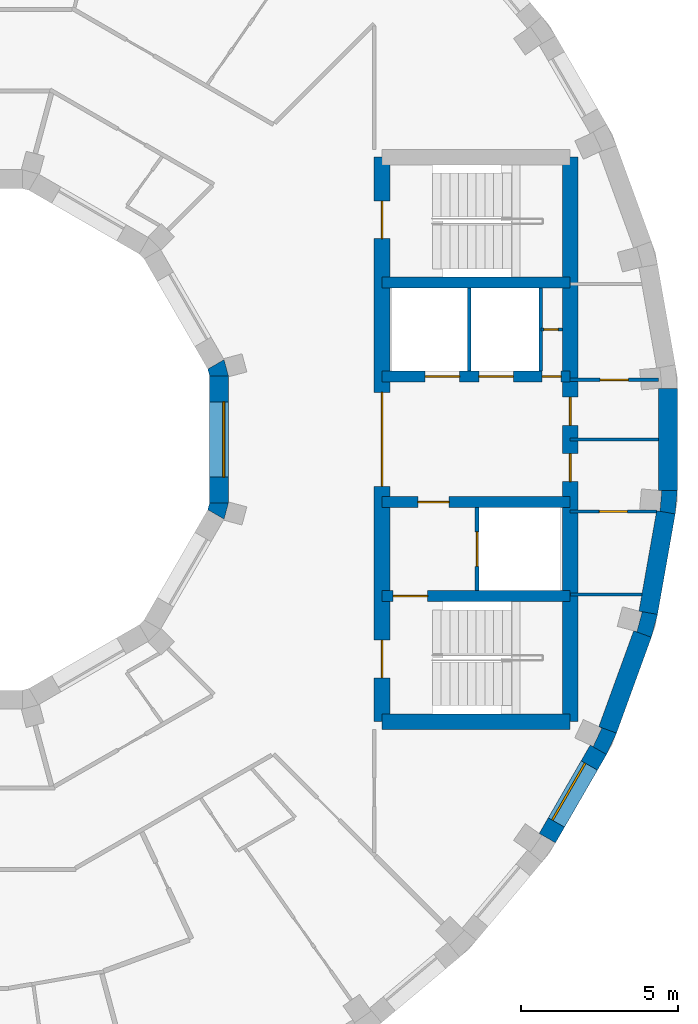
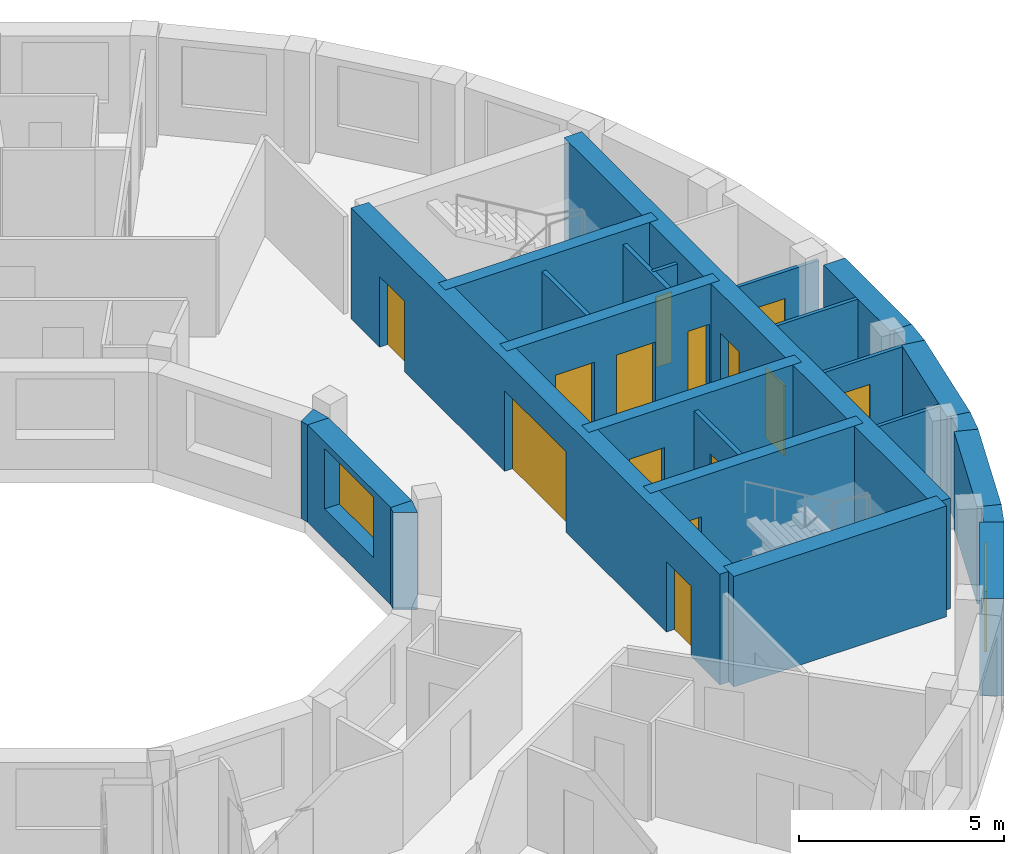
# One storey, part 6 of 10: 25 walls, 14 doors, 2 windows, 16 openings.
"""IFC4 building model written with IfcOpenShell, lengths in metres."""

import ifcopenshell
import ifcopenshell.guid

model = None  # the IFC model being written
_history = None  # IfcOwnerHistory: only IFC2X3 demands one
_inside = {}  # id of a spatial element -> (the spatial element, [elements in it])
_under = {}  # id of a project, library or spatial element -> (it, [spatial elements below it])
_declared = {}  # id of a project -> (the project, [libraries it declares])
_typed = {}  # id of a type object -> (the type object, [elements of that type])
_made_of = {}  # id of a material, layer set ... -> (it, [elements and type objects made of it])


def new_model(schema):
    """Start an empty IFC model of exactly this schema.

    Asked for "IFC4X3", IfcOpenShell would pick the latest addendum, in which some entities
    have other attributes; the version numbers below select the first issue.
    IFC2X3 requires an IfcOwnerHistory on every rooted entity: one is made here for all.
    """
    global model, _history
    if schema == "IFC4X3":
        model = ifcopenshell.file(schema_version=(4, 3, 0, 0))
    else:
        model = ifcopenshell.file(schema=schema)
    _inside.clear()
    _under.clear()
    _declared.clear()
    _typed.clear()
    _made_of.clear()
    _history = None
    if model.schema == "IFC2X3":
        org = make("IfcOrganization", Name="unknown")
        user = make(
            "IfcPersonAndOrganization",
            ThePerson=make("IfcPerson", FamilyName="unknown"),
            TheOrganization=org,
        )
        app = make(
            "IfcApplication",
            ApplicationDeveloper=org,
            Version="unknown",
            ApplicationFullName="unknown",
            ApplicationIdentifier="unknown",
        )
        _history = make(
            "IfcOwnerHistory",
            OwningUser=user,
            OwningApplication=app,
            ChangeAction="ADDED",
            CreationDate=0,
        )
    return model


def make(cls, **values):
    """One entity of the class cls with the attributes given. An attribute that is None is left unset."""
    return model.create_entity(
        cls, **{name: value for name, value in values.items() if value is not None}
    )


def rooted(cls, **values):
    """An entity with a GlobalId (a new one), such as an element, a storey or a relation."""
    return make(cls, GlobalId=ifcopenshell.guid.new(), OwnerHistory=_history, **values)


def si_unit(unit_type, name, prefix=None):
    """IfcSIUnit, for example si_unit("LENGTHUNIT", "METRE", prefix="MILLI")."""
    return make("IfcSIUnit", UnitType=unit_type, Prefix=prefix, Name=name)


def assignment(units):
    """IfcUnitAssignment: the units of a project."""
    return None if units is None else make("IfcUnitAssignment", Units=units)


def point(xyz):
    """IfcCartesianPoint."""
    return None if xyz is None else make("IfcCartesianPoint", Coordinates=xyz)


def direction(xyz):
    """IfcDirection."""
    return None if xyz is None else make("IfcDirection", DirectionRatios=xyz)


def frame(location, z_axis=None, x_axis=None):
    """IfcAxis2Placement3D, a coordinate frame: its origin and axes. An axis left out is left unset."""
    return make(
        "IfcAxis2Placement3D",
        Location=point(location),
        Axis=direction(z_axis),
        RefDirection=direction(x_axis),
    )


def frame_2d(location, x_axis=None):
    """IfcAxis2Placement2D, a coordinate frame in the plane: its origin and x axis."""
    return make(
        "IfcAxis2Placement2D", Location=point(location), RefDirection=direction(x_axis)
    )


def origin():
    """The frame at (0, 0, 0) with its axes left unset."""
    return frame((0.0, 0.0, 0.0))


def place(relative_to, where):
    """IfcLocalPlacement: puts the frame where relative to a parent placement (None: the world)."""
    return make(
        "IfcLocalPlacement", PlacementRelTo=relative_to, RelativePlacement=where
    )


def context(
    kind, dimensions, precision=None, world=None, true_north=None, identifier=None
):
    """IfcGeometricRepresentationContext, for example the 3D "Model" context."""
    return make(
        "IfcGeometricRepresentationContext",
        ContextIdentifier=identifier,
        ContextType=kind,
        CoordinateSpaceDimension=dimensions,
        Precision=precision,
        WorldCoordinateSystem=world,
        TrueNorth=true_north,
    )


def subcontext(parent, identifier, kind, view, scale=None):
    """IfcGeometricRepresentationSubContext, for example "Body" below "Model"."""
    return make(
        "IfcGeometricRepresentationSubContext",
        ContextIdentifier=identifier,
        ContextType=kind,
        ParentContext=parent,
        TargetScale=scale,
        TargetView=view,
    )


def project(units=None, contexts=None):
    """IfcProject with its units and contexts."""
    return rooted(
        "IfcProject",
        Name="project",
        RepresentationContexts=contexts,
        UnitsInContext=assignment(units),
    )


def spatial(cls, under=None, at=None, **own):
    """A site, building, storey or space (cls), placed at a placement, below another one or the project."""
    s = rooted(cls, ObjectPlacement=at, **own)
    if under is not None:
        _under.setdefault(under.id(), (under, []))[1].append(s)
    return s


def polyline(points):
    """IfcPolyline through the points."""
    return make("IfcPolyline", Points=[point(p) for p in points])


def profile(cls, at=None, kind="AREA", **sizes):
    """A parametric profile (cls). Its sizes go by their IFC names, for example OverallWidth=200.0."""
    return make(cls, ProfileType=kind, Position=at, **sizes)


def rectangle(**sizes):
    """IfcRectangleProfileDef."""
    return profile("IfcRectangleProfileDef", **sizes)


def outline(outer, holes=None, kind="AREA"):
    """IfcArbitraryClosedProfileDef: a profile drawn as a closed curve; with holes, ...WithVoids."""
    if holes is None:
        return make("IfcArbitraryClosedProfileDef", ProfileType=kind, OuterCurve=outer)
    return make(
        "IfcArbitraryProfileDefWithVoids",
        ProfileType=kind,
        OuterCurve=outer,
        InnerCurves=holes,
    )


def extrude(swept, where, along, depth):
    """IfcExtrudedAreaSolid: the profile swept, set in the frame where, extruded along a direction by depth."""
    return make(
        "IfcExtrudedAreaSolid",
        SweptArea=swept,
        Position=where,
        ExtrudedDirection=direction(along),
        Depth=depth,
    )


def shape(context_of_items, identifier, shape_type, items):
    """IfcShapeRepresentation: the items that make up one representation, for example the "Body"."""
    return make(
        "IfcShapeRepresentation",
        ContextOfItems=context_of_items,
        RepresentationIdentifier=identifier,
        RepresentationType=shape_type,
        Items=items,
    )


def material(Name=None, Category=None):
    """IfcMaterial."""
    return make("IfcMaterial", Name=Name, Category=Category)


def layer(
    of_material, thickness, ventilated=None, Name=None, Category=None, Priority=None
):
    """IfcMaterialLayer: one layer of a wall or slab, of a material (None: an air gap)."""
    return make(
        "IfcMaterialLayer",
        Material=of_material,
        LayerThickness=thickness,
        IsVentilated=ventilated,
        Name=Name,
        Category=Category,
        Priority=Priority,
    )


def layer_set(layers, Name=None):
    """IfcMaterialLayerSet."""
    return make("IfcMaterialLayerSet", MaterialLayers=layers, LayerSetName=Name)


def made_of(thing, what):
    """Note that an element or type object is made of a material, layer set ...; save() writes the relation."""
    if what is not None:
        _made_of.setdefault(what.id(), (what, []))[1].append(thing)
    return thing


def type_object(cls, material=None, **own):
    """A type object (cls), such as IfcWallType, which elements share."""
    return made_of(rooted(cls, **own), material)


def element(
    cls,
    number,
    at=None,
    inside=None,
    cuts=None,
    type_object=None,
    material=None,
    context=None,
    identifier="Body",
    shape_type=None,
    held_by="IfcProductDefinitionShape",
    body=None,
    shapes=None,
    **own,
):
    """One element of the class cls, such as IfcWall. Its Tag is "e" and its number.

    at: its placement. inside: the storey or other place that contains it. cuts: it is an
    opening in that element (IfcRelVoidsElement). A single representation is given by context,
    identifier, shape_type and body (its items); several are given by shapes. held_by: the class
    of the entity that holds the representations. save() writes the other relations.
    """
    e = rooted(cls, Tag="e%d" % number, ObjectPlacement=at, **own)
    if body is not None:
        shapes = [shape(context, identifier, shape_type, body)]
    if shapes is not None:
        e.Representation = make(held_by, Representations=shapes)
    if inside is not None:
        _inside.setdefault(inside.id(), (inside, []))[1].append(e)
    if cuts is not None:
        rooted(
            "IfcRelVoidsElement", RelatingBuildingElement=cuts, RelatedOpeningElement=e
        )
    if type_object is not None:
        _typed.setdefault(type_object.id(), (type_object, []))[1].append(e)
    return made_of(e, material)


def fill(opening, filler):
    """IfcRelFillsElement: the door or window that sits in an opening."""
    return rooted(
        "IfcRelFillsElement",
        RelatingOpeningElement=opening,
        RelatedBuildingElement=filler,
    )


def aggregate(whole, parts):
    """IfcRelAggregates: a whole, such as a stair, and the parts it consists of."""
    return rooted("IfcRelAggregates", RelatingObject=whole, RelatedObjects=parts)


def save(model, path):
    """Write the relations noted so far, then the file.

    IfcRelAggregates (storeys below a building ...), IfcRelContainedInSpatialStructure (elements
    in a storey), IfcRelDefinesByType, IfcRelAssociatesMaterial and IfcRelDeclares: one each for
    every whole, place, type object, material and project.
    """
    for whole, parts in _under.values():
        aggregate(whole, parts)
    for where, things in _inside.values():
        rooted(
            "IfcRelContainedInSpatialStructure",
            RelatedElements=things,
            RelatingStructure=where,
        )
    for kind, things in _typed.values():
        rooted("IfcRelDefinesByType", RelatedObjects=things, RelatingType=kind)
    for what, things in _made_of.values():
        rooted("IfcRelAssociatesMaterial", RelatedObjects=things, RelatingMaterial=what)
    for by, libraries in _declared.values():
        rooted("IfcRelDeclares", RelatingContext=by, RelatedDefinitions=libraries)
    model.write(path)


model = new_model("IFC4")

# Units and contexts
model_context = context("Model", 3, precision=1e-05, world=origin(), true_north=direction((0.0, 1.0)))
body_context = subcontext(model_context, "Body", "Model", "MODEL_VIEW")
ifc_project = project(units=[si_unit("LENGTHUNIT", "METRE"), si_unit("AREAUNIT", "SQUARE_METRE"), si_unit("VOLUMEUNIT", "CUBIC_METRE"), si_unit("PLANEANGLEUNIT", "RADIAN"), si_unit("MASSUNIT", "GRAM", prefix="KILO")], contexts=[model_context])

# Site, building, storey
site_placement = place(None, origin())
site = spatial("IfcSite", under=ifc_project, at=site_placement, CompositionType="ELEMENT")
building_placement = place(site_placement, origin())
building = spatial("IfcBuilding", under=site, at=building_placement, Name="Saqina Gate Tower", CompositionType="ELEMENT")
storey_placement = place(building_placement, frame((0.0, 0.0, 256.10009765625)))
storey = spatial("IfcBuildingStorey", under=building, at=storey_placement, Name="L73", CompositionType="ELEMENT", Elevation=256.10009765625)

# Walls
ifc_material_1 = material(Name="Brick masonry (buff)", Category="masonry")
wall_type_1 = type_object("IfcWallType", Name="BRICK PIER COPING BUFF", PredefinedType="SOLIDWALL", material=ifc_material_1)
wall_1_placement = place(storey_placement, origin())
element("IfcWall", 1, at=wall_1_placement, inside=storey, type_object=wall_type_1, Name="Pier cap L73 column 34", PredefinedType="SOLIDWALL", context=body_context, shape_type="SweptSolid", body=[
    extrude(outline(polyline([(20.65576171875, -10.048095703125), (20.974609375, -9.3642578125), (20.410888671875, -9.1591796875), (20.506591796875, -9.203857421875), (20.23193359375, -9.79296875), (20.135986328125, -9.748291015625), (20.65576171875, -10.048095703125)])), origin(), (0.0, 0.0, 1.0), 2.89990234375),
])
wall_2_placement = place(storey_placement, origin())
element("IfcWall", 2, at=wall_2_placement, inside=storey, type_object=wall_type_1, Name="Pier cap L73 column 35", PredefinedType="SOLIDWALL", context=body_context, shape_type="SweptSolid", body=[
    extrude(outline(polyline([(22.281982421875, -5.579833984375), (21.691162109375, -5.4755859375), (21.793212890625, -5.5029296875), (21.625, -6.130859375), (21.52294921875, -6.103515625), (22.0869140625, -6.30859375), (22.281982421875, -5.579833984375)])), origin(), (0.0, 0.0, 1.0), 2.89990234375),
])
wall_3_placement = place(storey_placement, origin())
element("IfcWall", 3, at=wall_3_placement, inside=storey, type_object=wall_type_1, Name="Pier cap L73 column 36", PredefinedType="SOLIDWALL", context=body_context, shape_type="SweptSolid", body=[
    extrude(outline(polyline([(22.8466796875, -2.377685546875), (22.91259765625, -1.625732421875), (22.3125, -1.625732421875), (22.417724609375, -1.635009765625), (22.361083984375, -2.28271484375), (22.255859375, -2.2734375), (22.8466796875, -2.377685546875)])), origin(), (0.0, 0.0, 1.0), 2.89990234375),
])

# Wall, opening, door
ifc_material_2 = material(Name="Gypsum board on steel studs", Category="steel")
ifc_layer_1 = layer(ifc_material_2, 0.10009765625)
ifc_layer_set_1 = layer_set([ifc_layer_1], Name="CORE PARTITION")
wall_type_2 = type_object("IfcWallType", Name="CORE PARTITION", PredefinedType="PARTITIONING", material=ifc_layer_set_1)
wall_4_placement = place(storey_placement, frame((18.56005859375, 3.5, 0.0), z_axis=(0.0, 0.0, 1.0), x_axis=(1.0, 0.0, 0.0)))
wall_4 = element("IfcWall", 4, at=wall_4_placement, inside=storey, type_object=wall_type_2, Name="L73-CP-E01", PredefinedType="PARTITIONING", context=body_context, shape_type="SweptSolid", body=[
    extrude(rectangle(XDim=0.68994140625, YDim=0.10009765625, at=frame_2d((0.344970703125, 0.0))), origin(), (0.0, 0.0, 1.0), 2.89990234375),
])
opening_1_placement = place(wall_4_placement, frame((0.10009765625, 0.0, 0.0)))
opening_1 = element("IfcOpeningElement", 5, at=opening_1_placement, cuts=wall_4, Name="Opening G21-D96", PredefinedType="OPENING", context=body_context, shape_type="SweptSolid", body=[
    extrude(rectangle(XDim=0.449951171875, YDim=2.10009765625, at=frame_2d((0.22509765625, 1.050048828125))), frame((0.0, 0.06201171875, 0.0), z_axis=(0.0, -1.0, 0.0), x_axis=(1.0, 0.0, 0.0)), (0.0, 0.0, 1.0), 0.1240234375),
])
ifc_material_3 = material(Name="Steel-framed fire door leaf, EI 60", Category="steel")
door_type_1 = type_object("IfcDoorType", Name="SERVICE ROOM DOOR 450", OperationType="SINGLE_SWING_LEFT", PredefinedType="DOOR", material=ifc_material_3)
door_1_placement = place(opening_1_placement, origin())
door_1 = element("IfcDoor", 6, at=door_1_placement, inside=storey, type_object=door_type_1, Name="L73-CD-E07", OperationType="SINGLE_SWING_RIGHT", OverallHeight=2.10009765625, OverallWidth=0.449951171875, PredefinedType="DOOR", context=body_context, shape_type="SweptSolid", body=[
    extrude(rectangle(XDim=0.449951171875, YDim=2.10009765625, at=frame_2d((0.22509765625, 1.050048828125))), frame((0.0, 0.02490234375, 0.0), z_axis=(0.0, -1.0, 0.0), x_axis=(1.0, 0.0, 0.0)), (0.0, 0.0, 1.0), 0.050048828125),
])
fill(opening_1, door_1)

wall_5_placement = place(storey_placement, frame((19.5, 1.89990234375, 0.0), z_axis=(0.0, 0.0, 1.0), x_axis=(1.0, 0.0, 0.0)))
wall_5 = element("IfcWall", 7, at=wall_5_placement, inside=storey, type_object=wall_type_2, Name="L73-CP-E03", PredefinedType="PARTITIONING", context=body_context, shape_type="SweptSolid", body=[
    extrude(rectangle(XDim=2.8125, YDim=0.10009765625, at=frame_2d((1.40625, 0.0))), origin(), (0.0, 0.0, 1.0), 2.89990234375),
])
opening_2_placement = place(wall_5_placement, frame((0.956298828125, 0.0, 0.0)))
opening_2 = element("IfcOpeningElement", 8, at=opening_2_placement, cuts=wall_5, Name="Opening G21-D92", PredefinedType="OPENING", context=body_context, shape_type="SweptSolid", body=[
    extrude(rectangle(XDim=0.89990234375, YDim=2.10009765625, at=frame_2d((0.449951171875, 1.050048828125))), frame((0.0, 0.06201171875, 0.0), z_axis=(0.0, -1.0, 0.0), x_axis=(1.0, 0.0, 0.0)), (0.0, 0.0, 1.0), 0.1240234375),
])
ifc_material_4 = material(Name="Steel-framed fire door leaf, EI 60", Category="steel")
door_type_2 = type_object("IfcDoorType", Name="SERVICE ROOM DOOR 900", OperationType="SINGLE_SWING_LEFT", PredefinedType="DOOR", material=ifc_material_4)
door_2_placement = place(opening_2_placement, origin())
door_2 = element("IfcDoor", 9, at=door_2_placement, inside=storey, type_object=door_type_2, Name="L73-CD-E03", OperationType="SINGLE_SWING_RIGHT", OverallHeight=2.10009765625, OverallWidth=0.89990234375, PredefinedType="DOOR", context=body_context, shape_type="SweptSolid", body=[
    extrude(rectangle(XDim=0.89990234375, YDim=2.10009765625, at=frame_2d((0.449951171875, 1.050048828125))), frame((0.0, 0.02490234375, 0.0), z_axis=(0.0, -1.0, 0.0), x_axis=(1.0, 0.0, 0.0)), (0.0, 0.0, 1.0), 0.050048828125),
])
fill(opening_2, door_2)

# Wall
wall_6_placement = place(storey_placement, frame((19.5, -4.949951171875, 0.0), z_axis=(0.0, 0.0, 1.0), x_axis=(1.0, 0.0, 0.0)))
element("IfcWall", 10, at=wall_6_placement, inside=storey, type_object=wall_type_2, Name="L73-CP-E04", PredefinedType="PARTITIONING", context=body_context, shape_type="SweptSolid", body=[
    extrude(rectangle(XDim=2.283935546875, YDim=0.10009765625, at=frame_2d((1.14208984375, 0.0))), origin(), (0.0, 0.0, 1.0), 2.89990234375),
])

# Wall, opening, door
wall_7_placement = place(storey_placement, frame((19.5, -2.300048828125, 0.0), z_axis=(0.0, 0.0, 1.0), x_axis=(1.0, 0.0, 0.0)))
wall_7 = element("IfcWall", 11, at=wall_7_placement, inside=storey, type_object=wall_type_2, Name="L73-CP-E05", PredefinedType="PARTITIONING", context=body_context, shape_type="SweptSolid", body=[
    extrude(rectangle(XDim=2.751220703125, YDim=0.10009765625, at=frame_2d((1.37548828125, 0.0))), origin(), (0.0, 0.0, 1.0), 2.89990234375),
])
opening_3_placement = place(wall_7_placement, frame((0.925537109375, 0.0, 0.0)))
opening_3 = element("IfcOpeningElement", 12, at=opening_3_placement, cuts=wall_7, Name="Opening G21-D94", PredefinedType="OPENING", context=body_context, shape_type="SweptSolid", body=[
    extrude(rectangle(XDim=0.89990234375, YDim=2.10009765625, at=frame_2d((0.449951171875, 1.050048828125))), frame((0.0, 0.06201171875, 0.0), z_axis=(0.0, -1.0, 0.0), x_axis=(1.0, 0.0, 0.0)), (0.0, 0.0, 1.0), 0.1240234375),
])
door_3_placement = place(opening_3_placement, frame((0.89990234375, 0.0, 0.0), z_axis=(0.0, 0.0, 1.0), x_axis=(-1.0, 0.0, 0.0)))
door_3 = element("IfcDoor", 13, at=door_3_placement, inside=storey, type_object=door_type_2, Name="L73-CD-E05", OperationType="SINGLE_SWING_RIGHT", OverallHeight=2.10009765625, OverallWidth=0.89990234375, PredefinedType="DOOR", context=body_context, shape_type="SweptSolid", body=[
    extrude(rectangle(XDim=0.89990234375, YDim=2.10009765625, at=frame_2d((0.449951171875, 1.050048828125))), frame((0.0, 0.02490234375, 0.0), z_axis=(0.0, -1.0, 0.0), x_axis=(1.0, 0.0, 0.0)), (0.0, 0.0, 1.0), 0.050048828125),
])
fill(opening_3, door_3)

# Wall
wall_8_placement = place(storey_placement, frame((19.5, 0.0, 0.0), z_axis=(0.0, 0.0, 1.0), x_axis=(1.0, 0.0, 0.0)))
element("IfcWall", 14, at=wall_8_placement, inside=storey, type_object=wall_type_2, Name="L73-CP-E06", PredefinedType="PARTITIONING", context=body_context, shape_type="SweptSolid", body=[
    extrude(rectangle(XDim=2.8125, YDim=0.10009765625, at=frame_2d((1.40625, 0.0))), origin(), (0.0, 0.0, 1.0), 2.89990234375),
])

# Wall, opening, window
ifc_material_5 = material(Name="Brick masonry (buff)", Category="masonry")
ifc_layer_2 = layer(ifc_material_5, 0.60009765625)
ifc_layer_set_2 = layer_set([ifc_layer_2], Name="FW-BRICK-BUFF")
wall_type_3 = type_object("IfcWallType", Name="FW-BRICK-BUFF", PredefinedType="SOLIDWALL", material=ifc_layer_set_2)
wall_9_placement = place(storey_placement, frame((18.77001953125, -12.71435546875, 0.0), z_axis=(0.0, 0.0, 1.0), x_axis=(0.500014901547, 0.866016800201, 0.0)))
wall_9 = element("IfcWall", 15, at=wall_9_placement, inside=storey, type_object=wall_type_3, Name="Facade wall L73 facet 33", PredefinedType="SOLIDWALL", context=body_context, shape_type="SweptSolid", body=[
    extrude(rectangle(XDim=3.251953125, YDim=0.60009765625, at=frame_2d((1.6259765625, 0.0))), origin(), (0.0, 0.0, 1.0), 2.89990234375),
])
opening_4_placement = place(wall_9_placement, frame((0.57568359375, 0.0, 0.89990234375)))
opening_4 = element("IfcOpeningElement", 16, at=opening_4_placement, cuts=wall_9, Name="Opening G21-W24", PredefinedType="OPENING", context=body_context, shape_type="SweptSolid", body=[
    extrude(rectangle(XDim=2.10009765625, YDim=1.800048828125, at=frame_2d((1.050048828125, 0.89990234375))), frame((0.0, 0.31201171875, 0.0), z_axis=(0.0, -1.0, 0.0), x_axis=(1.0, 0.0, 0.0)), (0.0, 0.0, 1.0), 0.6240234375),
])
ifc_material_6 = material(Name="Aluminium glazing", Category="aluminium")
window_type_1 = type_object("IfcWindowType", Name="WN-D", PartitioningType="SINGLE_PANEL", PredefinedType="WINDOW", material=ifc_material_6)
window_1_placement = place(opening_4_placement, origin())
window_1 = element("IfcWindow", 17, at=window_1_placement, inside=storey, type_object=window_type_1, Name="Window L73 facet 33", OverallHeight=1.800048828125, OverallWidth=2.10009765625, PartitioningType="SINGLE_PANEL", PredefinedType="WINDOW", context=body_context, shape_type="SweptSolid", body=[
    extrude(rectangle(XDim=2.10009765625, YDim=1.800048828125, at=frame_2d((1.050048828125, 0.89990234375))), frame((0.0, 0.179931640625, 0.0), z_axis=(0.0, -1.0, 0.0), x_axis=(1.0, 0.0, 0.0)), (0.0, 0.0, 1.0), 0.06005859375),
])
fill(opening_4, window_1)

# Walls
ifc_material_7 = material(Name="Glazed ceramic tile", Category="ceramic")
ifc_layer_3 = layer(ifc_material_7, 0.60009765625)
ifc_layer_set_3 = layer_set([ifc_layer_3], Name="FW-TILE")
wall_type_4 = type_object("IfcWallType", Name="FW-TILE", PredefinedType="SOLIDWALL", material=ifc_layer_set_3)
wall_10_placement = place(storey_placement, frame((20.692626953125, -9.26171875, 0.0), z_axis=(0.0, 0.0, 1.0), x_axis=(0.342056509473, 0.939679383794, 0.0)))
element("IfcWall", 18, at=wall_10_placement, inside=storey, type_object=wall_type_4, Name="Facade wall L73 facet 34", PredefinedType="SOLIDWALL", context=body_context, shape_type="SweptSolid", body=[
    extrude(rectangle(XDim=3.251708984375, YDim=0.60009765625, at=frame_2d((1.6259765625, 0.0))), origin(), (0.0, 0.0, 1.0), 2.89990234375),
])
wall_11_placement = place(storey_placement, frame((22.612548828125, -1.625732421875, 0.0), z_axis=(0.0, 0.0, 1.0), x_axis=(0.0, 1.0, 0.0)))
element("IfcWall", 19, at=wall_11_placement, inside=storey, type_object=wall_type_4, Name="Facade wall L73 facet 36", PredefinedType="SOLIDWALL", context=body_context, shape_type="SweptSolid", body=[
    extrude(rectangle(XDim=3.25146484375, YDim=0.60009765625, at=frame_2d((1.625732421875, 0.0))), origin(), (0.0, 0.0, 1.0), 2.89990234375),
])
ifc_material_8 = material(Name="Glazed ceramic tile (white)", Category="ceramic")
ifc_layer_4 = layer(ifc_material_8, 0.60009765625)
ifc_layer_set_4 = layer_set([ifc_layer_4], Name="FW-TILE-WH")
wall_type_5 = type_object("IfcWallType", Name="FW-TILE-WH", PredefinedType="SOLIDWALL", material=ifc_layer_set_4)
wall_12_placement = place(storey_placement, frame((21.986572265625, -5.52783203125, 0.0), z_axis=(0.0, 0.0, 1.0), x_axis=(0.173656842178, 0.984806225186, 0.0)))
element("IfcWall", 20, at=wall_12_placement, inside=storey, type_object=wall_type_5, Name="Facade wall L73 facet 35", PredefinedType="SOLIDWALL", context=body_context, shape_type="SweptSolid", body=[
    extrude(rectangle(XDim=3.251708984375, YDim=0.60009765625, at=frame_2d((1.6259765625, 0.0))), origin(), (0.0, 0.0, 1.0), 2.89990234375),
])

# Wall, opening, window
ifc_material_9 = material(Name="Glazed ceramic tile", Category="ceramic")
ifc_layer_5 = layer(ifc_material_9, 0.60009765625)
ifc_layer_set_5 = layer_set([ifc_layer_5], Name="IW-TILE")
wall_type_6 = type_object("IfcWallType", Name="IW-TILE", PredefinedType="SOLIDWALL", material=ifc_layer_set_5)
wall_13_placement = place(storey_placement, frame((8.300048828125, -2.029296875, 0.0), z_axis=(0.0, 0.0, 1.0), x_axis=(0.0, 1.0, 0.0)))
wall_13 = element("IfcWall", 21, at=wall_13_placement, inside=storey, type_object=wall_type_6, Name="Well wall L73 facet 12", PredefinedType="SOLIDWALL", context=body_context, shape_type="SweptSolid", body=[
    extrude(rectangle(XDim=4.05859375, YDim=0.60009765625, at=frame_2d((2.029296875, 0.0))), origin(), (0.0, 0.0, 1.0), 2.89990234375),
])
opening_5_placement = place(wall_13_placement, frame((0.829345703125, 0.0, 0.89990234375)))
opening_5 = element("IfcOpeningElement", 22, at=opening_5_placement, cuts=wall_13, Name="Opening G21-W36", PredefinedType="OPENING", context=body_context, shape_type="SweptSolid", body=[
    extrude(rectangle(XDim=2.39990234375, YDim=1.800048828125, at=frame_2d((1.199951171875, 0.89990234375))), frame((0.0, 0.31201171875, 0.0), z_axis=(0.0, -1.0, 0.0), x_axis=(1.0, 0.0, 0.0)), (0.0, 0.0, 1.0), 0.6240234375),
])
ifc_material_10 = material(Name="Aluminium glazing", Category="aluminium")
window_type_2 = type_object("IfcWindowType", Name="WN-W", PartitioningType="SINGLE_PANEL", PredefinedType="WINDOW", material=ifc_material_10)
window_2_placement = place(opening_5_placement, origin())
window_2 = element("IfcWindow", 23, at=window_2_placement, inside=storey, type_object=window_type_2, Name="Well window L73 facet 12", OverallHeight=1.800048828125, OverallWidth=2.39990234375, PartitioningType="SINGLE_PANEL", PredefinedType="WINDOW", context=body_context, shape_type="SweptSolid", body=[
    extrude(rectangle(XDim=2.39990234375, YDim=1.800048828125, at=frame_2d((1.199951171875, 0.89990234375))), frame((0.0, -0.119873046875, 0.0), z_axis=(0.0, -1.0, 0.0), x_axis=(1.0, 0.0, 0.0)), (0.0, 0.0, 1.0), 0.06005859375),
])
fill(opening_5, window_2)

# Walls
ifc_material_11 = material(Name="Autoclaved aerated concrete block", Category="concrete")
ifc_layer_6 = layer(ifc_material_11, 0.1201171875)
ifc_layer_set_6 = layer_set([ifc_layer_6], Name="SHAFT PARTITION")
wall_type_7 = type_object("IfcWallType", Name="SHAFT PARTITION", PredefinedType="PARTITIONING", material=ifc_layer_set_6)
for number, where, z_axis, x_axis, name in (
    (24, (16.280029296875, 2.175048828125, 0.0), (0.0, 0.0, 1.0), (0.0, 1.0, 0.0), "L73-CP-E07"),
    (25, (18.56005859375, 2.175048828125, 0.0), (0.0, 0.0, 1.0), (0.0, 1.0, 0.0), "L73-CP-E08"),
):
    element("IfcWall", number, at=place(storey_placement, frame(where, z_axis=z_axis, x_axis=x_axis)), inside=storey, type_object=wall_type_7, Name=name, PredefinedType="PARTITIONING", context=body_context, shape_type="SweptSolid", body=[
        extrude(rectangle(XDim=2.64990234375, YDim=0.1201171875, at=frame_2d((1.324951171875, 0.0))), origin(), (0.0, 0.0, 1.0), 2.89990234375),
    ])

# Wall, opening, door
wall_14_placement = place(storey_placement, frame((16.530029296875, -4.824951171875, 0.0), z_axis=(0.0, 0.0, 1.0), x_axis=(0.0, 1.0, 0.0)))
wall_14 = element("IfcWall", 26, at=wall_14_placement, inside=storey, type_object=wall_type_7, Name="L73-CP-E09", PredefinedType="PARTITIONING", context=body_context, shape_type="SweptSolid", body=[
    extrude(rectangle(XDim=2.64990234375, YDim=0.1201171875, at=frame_2d((1.324951171875, 0.0))), origin(), (0.0, 0.0, 1.0), 2.89990234375),
])
opening_6_placement = place(wall_14_placement, frame((0.77490234375, 0.0, 0.0)))
opening_6 = element("IfcOpeningElement", 27, at=opening_6_placement, cuts=wall_14, Name="Opening G21-LD3", PredefinedType="OPENING", context=body_context, shape_type="SweptSolid", body=[
    extrude(rectangle(XDim=1.10009765625, YDim=2.10009765625, at=frame_2d((0.550048828125, 1.050048828125))), frame((0.0, 0.072021484375, 0.0), z_axis=(0.0, -1.0, 0.0), x_axis=(1.0, 0.0, 0.0)), (0.0, 0.0, 1.0), 0.14404296875),
])
ifc_material_12 = material(Name="Stainless steel", Category="steel")
door_type_3 = type_object("IfcDoorType", Name="LANDING DOOR", OperationType="DOUBLE_DOOR_SLIDING", PredefinedType="DOOR", material=ifc_material_12)
door_4_placement = place(opening_6_placement, origin())
door_4 = element("IfcDoor", 28, at=door_4_placement, inside=storey, type_object=door_type_3, Name="LANDING DOOR FF1", OperationType="DOUBLE_DOOR_SLIDING", OverallHeight=2.10009765625, OverallWidth=1.10009765625, PredefinedType="DOOR", context=body_context, shape_type="SweptSolid", body=[
    extrude(rectangle(XDim=1.10009765625, YDim=2.10009765625, at=frame_2d((0.550048828125, 1.050048828125))), frame((0.0, 0.02490234375, 0.0), z_axis=(0.0, -1.0, 0.0), x_axis=(1.0, 0.0, 0.0)), (0.0, 0.0, 1.0), 0.050048828125),
])
fill(opening_6, door_4)

# Wall
ifc_material_13 = material(Name="Concrete C60/75", Category="concrete")
ifc_layer_7 = layer(ifc_material_13, 0.35009765625)
ifc_layer_set_7 = layer_set([ifc_layer_7], Name="Concrete C60/75")
wall_type_8 = type_object("IfcWallType", Name="STR-CORE WALL-D-I", PredefinedType="SHEAR", material=ifc_layer_set_7)
wall_15_placement = place(storey_placement, frame((13.5, 5.0, 0.0), z_axis=(0.0, 0.0, 1.0), x_axis=(1.0, 0.0, 0.0)))
element("IfcWall", 29, at=wall_15_placement, inside=storey, type_object=wall_type_8, Name="CORE WALL L73 E-X1", PredefinedType="SHEAR", context=body_context, shape_type="SweptSolid", body=[
    extrude(rectangle(XDim=6.0, YDim=0.35009765625, at=frame_2d((3.0, 0.0))), origin(), (0.0, 0.0, 1.0), 3.2998046875),
])

# Wall, opening, door
wall_16_placement = place(storey_placement, frame((13.5, -5.0, 0.0), z_axis=(0.0, 0.0, 1.0), x_axis=(1.0, 0.0, 0.0)))
wall_16 = element("IfcWall", 30, at=wall_16_placement, inside=storey, type_object=wall_type_8, Name="CORE WALL L73 E-X2", PredefinedType="SHEAR", context=body_context, shape_type="SweptSolid", body=[
    extrude(rectangle(XDim=6.0, YDim=0.35009765625, at=frame_2d((3.0, 0.0))), origin(), (0.0, 0.0, 1.0), 3.2998046875),
])
opening_7_placement = place(wall_16_placement, frame((0.35009765625, 0.0, 0.0)))
opening_7 = element("IfcOpeningElement", 31, at=opening_7_placement, cuts=wall_16, Name="Opening G21-D97", PredefinedType="OPENING", context=body_context, shape_type="SweptSolid", body=[
    extrude(rectangle(XDim=1.10009765625, YDim=2.10009765625, at=frame_2d((0.550048828125, 1.050048828125))), frame((0.0, 0.18701171875, 0.0), z_axis=(0.0, -1.0, 0.0), x_axis=(1.0, 0.0, 0.0)), (0.0, 0.0, 1.0), 0.3740234375),
])
ifc_material_14 = material(Name="Steel", Category="steel")
door_type_4 = type_object("IfcDoorType", Name="FIRE LOBBY DOOR EI 60 WIDE", OperationType="SINGLE_SWING_LEFT", PredefinedType="DOOR", material=ifc_material_14)
door_5_placement = place(opening_7_placement, frame((1.10009765625, 0.0, 0.0), z_axis=(0.0, 0.0, 1.0), x_axis=(-1.0, 0.0, 0.0)))
door_5 = element("IfcDoor", 32, at=door_5_placement, inside=storey, type_object=door_type_4, Name="L73-CD-E08", OperationType="SINGLE_SWING_RIGHT", OverallHeight=2.10009765625, OverallWidth=1.10009765625, PredefinedType="DOOR", context=body_context, shape_type="SweptSolid", body=[
    extrude(rectangle(XDim=1.10009765625, YDim=2.10009765625, at=frame_2d((0.550048828125, 1.050048828125))), frame((0.0, 0.02490234375, 0.0), z_axis=(0.0, -1.0, 0.0), x_axis=(1.0, 0.0, 0.0)), (0.0, 0.0, 1.0), 0.050048828125),
])
fill(opening_7, door_5)

# Wall, openings, doors
wall_17_placement = place(storey_placement, frame((13.5, 2.0, 0.0), z_axis=(0.0, 0.0, 1.0), x_axis=(1.0, 0.0, 0.0)))
wall_17 = element("IfcWall", 33, at=wall_17_placement, inside=storey, type_object=wall_type_8, Name="CORE WALL L73 E-L1", PredefinedType="SHEAR", context=body_context, shape_type="SweptSolid", body=[
    extrude(rectangle(XDim=6.0, YDim=0.35009765625, at=frame_2d((3.0, 0.0))), origin(), (0.0, 0.0, 1.0), 3.2998046875),
])
opening_8_placement = place(wall_17_placement, frame((1.3701171875, 0.0, 0.0)))
opening_8 = element("IfcOpeningElement", 34, at=opening_8_placement, cuts=wall_17, Name="Opening G21-LD1", PredefinedType="OPENING", context=body_context, shape_type="SweptSolid", body=[
    extrude(rectangle(XDim=1.10009765625, YDim=2.10009765625, at=frame_2d((0.550048828125, 1.050048828125))), frame((0.0, 0.18701171875, 0.0), z_axis=(0.0, -1.0, 0.0), x_axis=(1.0, 0.0, 0.0)), (0.0, 0.0, 1.0), 0.3740234375),
])
opening_9_placement = place(wall_17_placement, frame((3.090087890625, 0.0, 0.0)))
opening_9 = element("IfcOpeningElement", 35, at=opening_9_placement, cuts=wall_17, Name="Opening G21-LD2", PredefinedType="OPENING", context=body_context, shape_type="SweptSolid", body=[
    extrude(rectangle(XDim=1.10009765625, YDim=2.10009765625, at=frame_2d((0.550048828125, 1.050048828125))), frame((0.0, 0.18701171875, 0.0), z_axis=(0.0, -1.0, 0.0), x_axis=(1.0, 0.0, 0.0)), (0.0, 0.0, 1.0), 0.3740234375),
])
opening_10_placement = place(wall_17_placement, frame((5.10498046875, 0.0, 0.0)))
opening_10 = element("IfcOpeningElement", 36, at=opening_10_placement, cuts=wall_17, Name="Opening G21-D90", PredefinedType="OPENING", context=body_context, shape_type="SweptSolid", body=[
    extrude(rectangle(XDim=0.60009765625, YDim=2.10009765625, at=frame_2d((0.300048828125, 1.050048828125))), frame((0.0, 0.18701171875, 0.0), z_axis=(0.0, -1.0, 0.0), x_axis=(1.0, 0.0, 0.0)), (0.0, 0.0, 1.0), 0.3740234375),
])
door_6_placement = place(opening_8_placement, origin())
door_6 = element("IfcDoor", 37, at=door_6_placement, inside=storey, type_object=door_type_3, Name="LANDING DOOR HR1", OperationType="DOUBLE_DOOR_SLIDING", OverallHeight=2.10009765625, OverallWidth=1.10009765625, PredefinedType="DOOR", context=body_context, shape_type="SweptSolid", body=[
    extrude(rectangle(XDim=1.10009765625, YDim=2.10009765625, at=frame_2d((0.550048828125, 1.050048828125))), frame((0.0, 0.02490234375, 0.0), z_axis=(0.0, -1.0, 0.0), x_axis=(1.0, 0.0, 0.0)), (0.0, 0.0, 1.0), 0.050048828125),
])
fill(opening_8, door_6)
door_7_placement = place(opening_9_placement, origin())
door_7 = element("IfcDoor", 38, at=door_7_placement, inside=storey, type_object=door_type_3, Name="LANDING DOOR HR2", OperationType="DOUBLE_DOOR_SLIDING", OverallHeight=2.10009765625, OverallWidth=1.10009765625, PredefinedType="DOOR", context=body_context, shape_type="SweptSolid", body=[
    extrude(rectangle(XDim=1.10009765625, YDim=2.10009765625, at=frame_2d((0.550048828125, 1.050048828125))), frame((0.0, 0.02490234375, 0.0), z_axis=(0.0, -1.0, 0.0), x_axis=(1.0, 0.0, 0.0)), (0.0, 0.0, 1.0), 0.050048828125),
])
fill(opening_9, door_7)
ifc_material_15 = material(Name="Steel-framed fire door leaf, EI 60", Category="steel")
door_type_5 = type_object("IfcDoorType", Name="SERVICE ROOM DOOR 600", OperationType="SINGLE_SWING_LEFT", PredefinedType="DOOR", material=ifc_material_15)
door_8_placement = place(opening_10_placement, origin())
door_8 = element("IfcDoor", 39, at=door_8_placement, inside=storey, type_object=door_type_5, Name="L73-CD-E01", OperationType="SINGLE_SWING_RIGHT", OverallHeight=2.10009765625, OverallWidth=0.60009765625, PredefinedType="DOOR", context=body_context, shape_type="SweptSolid", body=[
    extrude(rectangle(XDim=0.60009765625, YDim=2.10009765625, at=frame_2d((0.300048828125, 1.050048828125))), frame((0.0, 0.02490234375, 0.0), z_axis=(0.0, -1.0, 0.0), x_axis=(1.0, 0.0, 0.0)), (0.0, 0.0, 1.0), 0.050048828125),
])
fill(opening_10, door_8)

# Wall, opening, door
wall_18_placement = place(storey_placement, frame((13.5, -2.0, 0.0), z_axis=(0.0, 0.0, 1.0), x_axis=(1.0, 0.0, 0.0)))
wall_18 = element("IfcWall", 40, at=wall_18_placement, inside=storey, type_object=wall_type_8, Name="CORE WALL L73 E-L2", PredefinedType="SHEAR", context=body_context, shape_type="SweptSolid", body=[
    extrude(rectangle(XDim=6.0, YDim=0.35009765625, at=frame_2d((3.0, 0.0))), origin(), (0.0, 0.0, 1.0), 3.2998046875),
])
opening_11_placement = place(wall_18_placement, frame((1.139892578125, 0.0, 0.0)))
opening_11 = element("IfcOpeningElement", 41, at=opening_11_placement, cuts=wall_18, Name="Opening G21-D91", PredefinedType="OPENING", context=body_context, shape_type="SweptSolid", body=[
    extrude(rectangle(XDim=1.0, YDim=2.10009765625, at=frame_2d((0.5, 1.050048828125))), frame((0.0, 0.18701171875, 0.0), z_axis=(0.0, -1.0, 0.0), x_axis=(1.0, 0.0, 0.0)), (0.0, 0.0, 1.0), 0.3740234375),
])
ifc_material_16 = material(Name="Steel", Category="steel")
door_type_6 = type_object("IfcDoorType", Name="FIRE LOBBY DOOR EI 60", OperationType="SINGLE_SWING_LEFT", PredefinedType="DOOR", material=ifc_material_16)
door_9_placement = place(opening_11_placement, origin())
door_9 = element("IfcDoor", 42, at=door_9_placement, inside=storey, type_object=door_type_6, Name="L73-CD-E02", OperationType="SINGLE_SWING_LEFT", OverallHeight=2.10009765625, OverallWidth=1.0, PredefinedType="DOOR", context=body_context, shape_type="SweptSolid", body=[
    extrude(rectangle(XDim=1.0, YDim=2.10009765625, at=frame_2d((0.5, 1.050048828125))), frame((0.0, 0.02490234375, 0.0), z_axis=(0.0, -1.0, 0.0), x_axis=(1.0, 0.0, 0.0)), (0.0, 0.0, 1.0), 0.050048828125),
])
fill(opening_11, door_9)

# Wall, openings, doors
ifc_material_17 = material(Name="Concrete C60/75", Category="concrete")
ifc_layer_8 = layer(ifc_material_17, 0.5)
ifc_layer_set_8 = layer_set([ifc_layer_8], Name="Concrete C60/75")
wall_type_9 = type_object("IfcWallType", Name="STR-CORE WALL-D-O", PredefinedType="SHEAR", material=ifc_layer_set_8)
wall_19_placement = place(storey_placement, frame((13.5, -9.0, 0.0), z_axis=(0.0, 0.0, 1.0), x_axis=(0.0, 1.0, 0.0)))
wall_19 = element("IfcWall", 43, at=wall_19_placement, inside=storey, type_object=wall_type_9, Name="CORE WALL L73 E-W1", PredefinedType="SHEAR", context=body_context, shape_type="SweptSolid", body=[
    extrude(rectangle(XDim=18.0, YDim=0.5, at=frame_2d((9.0, 0.0))), origin(), (0.0, 0.0, 1.0), 3.2998046875),
])
opening_12_placement = place(wall_19_placement, frame((15.39990234375, 0.0, 0.0)))
opening_12 = element("IfcOpeningElement", 44, at=opening_12_placement, cuts=wall_19, Name="Opening G21-D98", PredefinedType="OPENING", context=body_context, shape_type="SweptSolid", body=[
    extrude(rectangle(XDim=1.199951171875, YDim=2.10009765625, at=frame_2d((0.60009765625, 1.050048828125))), frame((0.0, 0.261962890625, 0.0), z_axis=(0.0, -1.0, 0.0), x_axis=(1.0, 0.0, 0.0)), (0.0, 0.0, 1.0), 0.52392578125),
])
opening_13_placement = place(wall_19_placement, frame((1.39990234375, 0.0, 0.0)))
opening_13 = element("IfcOpeningElement", 45, at=opening_13_placement, cuts=wall_19, Name="Opening G21-D99", PredefinedType="OPENING", context=body_context, shape_type="SweptSolid", body=[
    extrude(rectangle(XDim=1.199951171875, YDim=2.10009765625, at=frame_2d((0.60009765625, 1.050048828125))), frame((0.0, 0.261962890625, 0.0), z_axis=(0.0, -1.0, 0.0), x_axis=(1.0, 0.0, 0.0)), (0.0, 0.0, 1.0), 0.52392578125),
])
opening_14_placement = place(wall_19_placement, frame((7.5, 0.0, 0.0)))
opening_14 = element("IfcOpeningElement", 46, at=opening_14_placement, cuts=wall_19, Name="Opening G21-D100", PredefinedType="OPENING", context=body_context, shape_type="SweptSolid", body=[
    extrude(rectangle(XDim=3.0, YDim=2.39990234375, at=frame_2d((1.5, 1.199951171875))), frame((0.0, 0.261962890625, 0.0), z_axis=(0.0, -1.0, 0.0), x_axis=(1.0, 0.0, 0.0)), (0.0, 0.0, 1.0), 0.52392578125),
])
ifc_material_18 = material(Name="Steel", Category="steel")
door_type_7 = type_object("IfcDoorType", Name="FIRE DOOR EI 60", OperationType="SINGLE_SWING_LEFT", PredefinedType="DOOR", material=ifc_material_18)
door_10_placement = place(opening_12_placement, frame((1.199951171875, 0.0, 0.0), z_axis=(0.0, 0.0, 1.0), x_axis=(-1.0, 0.0, 0.0)))
door_10 = element("IfcDoor", 47, at=door_10_placement, inside=storey, type_object=door_type_7, Name="L73-CD-E09", OperationType="SINGLE_SWING_LEFT", OverallHeight=2.10009765625, OverallWidth=1.199951171875, PredefinedType="DOOR", context=body_context, shape_type="SweptSolid", body=[
    extrude(rectangle(XDim=1.199951171875, YDim=2.10009765625, at=frame_2d((0.60009765625, 1.050048828125))), frame((0.0, 0.02490234375, 0.0), z_axis=(0.0, -1.0, 0.0), x_axis=(1.0, 0.0, 0.0)), (0.0, 0.0, 1.0), 0.050048828125),
])
fill(opening_12, door_10)
door_11_placement = place(opening_13_placement, frame((1.199951171875, 0.0, 0.0), z_axis=(0.0, 0.0, 1.0), x_axis=(-1.0, 0.0, 0.0)))
door_11 = element("IfcDoor", 48, at=door_11_placement, inside=storey, type_object=door_type_7, Name="L73-CD-E10", OperationType="SINGLE_SWING_RIGHT", OverallHeight=2.10009765625, OverallWidth=1.199951171875, PredefinedType="DOOR", context=body_context, shape_type="SweptSolid", body=[
    extrude(rectangle(XDim=1.199951171875, YDim=2.10009765625, at=frame_2d((0.60009765625, 1.050048828125))), frame((0.0, 0.02490234375, 0.0), z_axis=(0.0, -1.0, 0.0), x_axis=(1.0, 0.0, 0.0)), (0.0, 0.0, 1.0), 0.050048828125),
])
fill(opening_13, door_11)
ifc_material_19 = material(Name="Steel and fire-resisting glass", Category="steel")
door_type_8 = type_object("IfcDoorType", Name="LOBBY SCREEN DOOR", OperationType="DOUBLE_DOOR_SLIDING", PredefinedType="DOOR", material=ifc_material_19)
door_12_placement = place(opening_14_placement, origin())
door_12 = element("IfcDoor", 49, at=door_12_placement, inside=storey, type_object=door_type_8, Name="L73-CD-E11", OperationType="DOUBLE_DOOR_SLIDING", OverallHeight=2.39990234375, OverallWidth=3.0, PredefinedType="DOOR", context=body_context, shape_type="SweptSolid", body=[
    extrude(rectangle(XDim=3.0, YDim=2.39990234375, at=frame_2d((1.5, 1.199951171875))), frame((0.0, 0.02490234375, 0.0), z_axis=(0.0, -1.0, 0.0), x_axis=(1.0, 0.0, 0.0)), (0.0, 0.0, 1.0), 0.050048828125),
])
fill(opening_14, door_12)

wall_20_placement = place(storey_placement, frame((19.5, -9.0, 0.0), z_axis=(0.0, 0.0, 1.0), x_axis=(0.0, 1.0, 0.0)))
wall_20 = element("IfcWall", 50, at=wall_20_placement, inside=storey, type_object=wall_type_9, Name="CORE WALL L73 E-W2", PredefinedType="SHEAR", context=body_context, shape_type="SweptSolid", body=[
    extrude(rectangle(XDim=18.0, YDim=0.5, at=frame_2d((9.0, 0.0))), origin(), (0.0, 0.0, 1.0), 3.2998046875),
])
opening_15_placement = place(wall_20_placement, frame((9.449951171875, 0.0, 0.0)))
opening_15 = element("IfcOpeningElement", 51, at=opening_15_placement, cuts=wall_20, Name="Opening G21-D93", PredefinedType="OPENING", context=body_context, shape_type="SweptSolid", body=[
    extrude(rectangle(XDim=0.89990234375, YDim=2.10009765625, at=frame_2d((0.449951171875, 1.050048828125))), frame((0.0, 0.261962890625, 0.0), z_axis=(0.0, -1.0, 0.0), x_axis=(1.0, 0.0, 0.0)), (0.0, 0.0, 1.0), 0.52392578125),
])
opening_16_placement = place(wall_20_placement, frame((7.64990234375, 0.0, 0.0)))
opening_16 = element("IfcOpeningElement", 52, at=opening_16_placement, cuts=wall_20, Name="Opening G21-D95", PredefinedType="OPENING", context=body_context, shape_type="SweptSolid", body=[
    extrude(rectangle(XDim=0.89990234375, YDim=2.10009765625, at=frame_2d((0.449951171875, 1.050048828125))), frame((0.0, 0.261962890625, 0.0), z_axis=(0.0, -1.0, 0.0), x_axis=(1.0, 0.0, 0.0)), (0.0, 0.0, 1.0), 0.52392578125),
])
door_13_placement = place(opening_15_placement, frame((0.89990234375, 0.0, 0.0), z_axis=(0.0, 0.0, 1.0), x_axis=(-1.0, 0.0, 0.0)))
door_13 = element("IfcDoor", 53, at=door_13_placement, inside=storey, type_object=door_type_2, Name="L73-CD-E04", OperationType="SINGLE_SWING_LEFT", OverallHeight=2.10009765625, OverallWidth=0.89990234375, PredefinedType="DOOR", context=body_context, shape_type="SweptSolid", body=[
    extrude(rectangle(XDim=0.89990234375, YDim=2.10009765625, at=frame_2d((0.449951171875, 1.050048828125))), frame((0.0, 0.02490234375, 0.0), z_axis=(0.0, -1.0, 0.0), x_axis=(1.0, 0.0, 0.0)), (0.0, 0.0, 1.0), 0.050048828125),
])
fill(opening_15, door_13)
door_14_placement = place(opening_16_placement, frame((0.89990234375, 0.0, 0.0), z_axis=(0.0, 0.0, 1.0), x_axis=(-1.0, 0.0, 0.0)))
door_14 = element("IfcDoor", 54, at=door_14_placement, inside=storey, type_object=door_type_2, Name="L73-CD-E06", OperationType="SINGLE_SWING_LEFT", OverallHeight=2.10009765625, OverallWidth=0.89990234375, PredefinedType="DOOR", context=body_context, shape_type="SweptSolid", body=[
    extrude(rectangle(XDim=0.89990234375, YDim=2.10009765625, at=frame_2d((0.449951171875, 1.050048828125))), frame((0.0, 0.02490234375, 0.0), z_axis=(0.0, -1.0, 0.0), x_axis=(1.0, 0.0, 0.0)), (0.0, 0.0, 1.0), 0.050048828125),
])
fill(opening_16, door_14)

# Walls
wall_21_placement = place(storey_placement, frame((13.5, -9.0, 0.0), z_axis=(0.0, 0.0, 1.0), x_axis=(1.0, 0.0, 0.0)))
element("IfcWall", 55, at=wall_21_placement, inside=storey, type_object=wall_type_9, Name="CORE WALL L73 E-SE", PredefinedType="SHEAR", context=body_context, shape_type="SweptSolid", body=[
    extrude(rectangle(XDim=6.0, YDim=0.5, at=frame_2d((3.0, 0.0))), origin(), (0.0, 0.0, 1.0), 3.2998046875),
])
ifc_material_20 = material(Name="Glazed ceramic tile", Category="ceramic")
wall_type_10 = type_object("IfcWallType", Name="TILE PIER COPING", PredefinedType="SOLIDWALL", material=ifc_material_20)
wall_22_placement = place(storey_placement, origin())
element("IfcWall", 56, at=wall_22_placement, inside=storey, type_object=wall_type_10, Name="Well pier cap L73 column 1", PredefinedType="SOLIDWALL", context=body_context, shape_type="SweptSolid", body=[
    extrude(outline(polyline([(8.46240234375, 2.54248046875), (7.94287109375, 2.242431640625), (8.0, 2.029296875), (8.60009765625, 2.029296875), (8.46240234375, 2.54248046875)])), origin(), (0.0, 0.0, 1.0), 2.89990234375),
])
wall_23_placement = place(storey_placement, origin())
element("IfcWall", 57, at=wall_23_placement, inside=storey, type_object=wall_type_10, Name="Well pier cap L73 column 12", PredefinedType="SOLIDWALL", context=body_context, shape_type="SweptSolid", body=[
    extrude(outline(polyline([(8.60009765625, -2.029296875), (8.0, -2.029296875), (7.94287109375, -2.242431640625), (8.46240234375, -2.54248046875), (8.60009765625, -2.029296875)])), origin(), (0.0, 0.0, 1.0), 2.89990234375),
])

save(model, "model.ifc")
